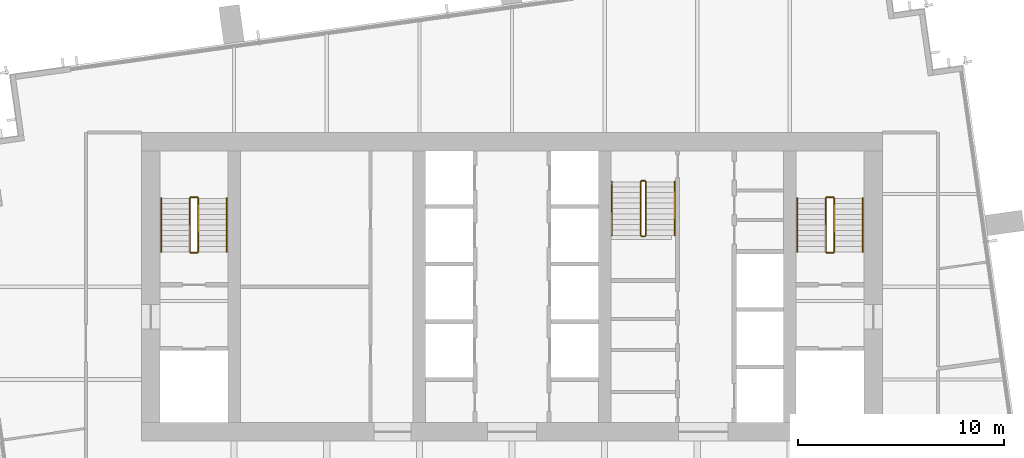
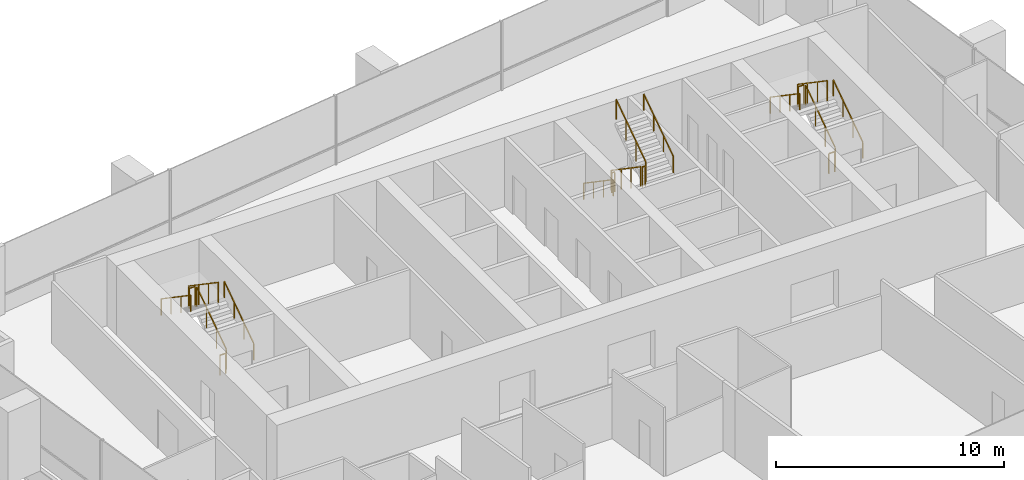
# One storey, part 12 of 12: 18 railings.
"""IFC4 building model written with IfcOpenShell, lengths in metres."""

from ifc_helpers import new_model, si_unit, direction, frame, origin, origin_2d, place, context, subcontext, project, spatial, rectangle, extrude, material, type_object, element, save


model = new_model("IFC4")

# Units and contexts
model_context = context("Model", 3, precision=1e-05, world=origin(), true_north=direction((0.0, 1.0)))
body_context = subcontext(model_context, "Body", "Model", "MODEL_VIEW")
ifc_project = project(units=[si_unit("LENGTHUNIT", "METRE"), si_unit("AREAUNIT", "SQUARE_METRE"), si_unit("VOLUMEUNIT", "CUBIC_METRE"), si_unit("PLANEANGLEUNIT", "RADIAN"), si_unit("MASSUNIT", "GRAM", prefix="KILO")], contexts=[model_context])

# Site, building, storey
site_placement = place(None, origin())
site = spatial("IfcSite", under=ifc_project, at=site_placement, CompositionType="ELEMENT")
building_placement = place(site_placement, origin())
building = spatial("IfcBuilding", under=site, at=building_placement, Name="Rattan Terrace Tower", CompositionType="ELEMENT")
storey_placement = place(building_placement, frame((0.0, 0.0, 270.699951171875)))
storey = spatial("IfcBuildingStorey", under=building, at=storey_placement, Name="L62", CompositionType="ELEMENT", Elevation=270.699951171875)

# Railings
ifc_material_1 = material(Name="Powder-coated steel guard", Category="steel")
railing_type_1 = type_object("IfcRailingType", Name="Core stair guard", PredefinedType="GUARDRAIL", material=ifc_material_1)
railing_1_placement = place(storey_placement, frame((-15.25, 1.699951171875, 0.17724609375)))
element("IfcRailing", 1, at=railing_1_placement, inside=storey, type_object=railing_type_1, Name="L62 S1 stair guard 1", PredefinedType="GUARDRAIL", context=body_context, shape_type="SweptSolid", body=[
    extrude(rectangle(XDim=0.048095703125, YDim=0.048095703125, at=origin_2d()), frame((0.0, 0.0, 1.076171875), z_axis=(0.0, 0.826240473404, 0.563317565952), x_axis=(-1.0, 0.0, 0.0)), (0.0, 0.0, 1.0), 3.14697265625),
    extrude(rectangle(XDim=0.0419921875, YDim=0.0419921875, at=origin_2d()), origin(), (0.0, 0.0, 1.0), 1.052001953125),
    extrude(rectangle(XDim=0.0419921875, YDim=0.0419921875, at=origin_2d()), frame((0.0, 0.86669921875, 0.5908203125)), (0.0, 0.0, 1.0), 1.052001953125),
    extrude(rectangle(XDim=0.0419921875, YDim=0.0419921875, at=origin_2d()), frame((0.0, 1.7333984375, 1.181884765625)), (0.0, 0.0, 1.0), 1.052001953125),
    extrude(rectangle(XDim=0.0419921875, YDim=0.0419921875, at=origin_2d()), frame((0.0, 2.60009765625, 1.772705078125)), (0.0, 0.0, 1.0), 1.052001953125),
])
railing_2_placement = place(storey_placement, frame((-15.300048828125, 4.35009765625, 1.949951171875)))
element("IfcRailing", 2, at=railing_2_placement, inside=storey, type_object=railing_type_1, Name="L62 S1 stair guard 2", PredefinedType="GUARDRAIL", context=body_context, shape_type="SweptSolid", body=[
    extrude(rectangle(XDim=0.048095703125, YDim=0.048095703125, at=origin_2d()), frame((0.0, 0.0, 1.076171875), z_axis=(-1.0, 0.0, 0.0), x_axis=(0.0, -1.0, 0.0)), (0.0, 0.0, 1.0), 0.300048828125),
    extrude(rectangle(XDim=0.0419921875, YDim=0.0419921875, at=origin_2d()), origin(), (0.0, 0.0, 1.0), 1.052001953125),
    extrude(rectangle(XDim=0.0419921875, YDim=0.0419921875, at=origin_2d()), frame((-0.300048828125, 0.0, 0.0)), (0.0, 0.0, 1.0), 1.052001953125),
])
railing_3_placement = place(storey_placement, frame((-15.64990234375, 4.300048828125, 2.12744140625)))
element("IfcRailing", 3, at=railing_3_placement, inside=storey, type_object=railing_type_1, Name="L62 S1 stair guard 3", PredefinedType="GUARDRAIL", context=body_context, shape_type="SweptSolid", body=[
    extrude(rectangle(XDim=0.048095703125, YDim=0.048095703125, at=origin_2d()), frame((0.0, 0.0, 1.076171875), z_axis=(0.0, -0.826240473404, 0.563317565952), x_axis=(1.0, 0.0, 0.0)), (0.0, 0.0, 1.0), 3.14697265625),
    extrude(rectangle(XDim=0.0419921875, YDim=0.0419921875, at=origin_2d()), origin(), (0.0, 0.0, 1.0), 1.052001953125),
    extrude(rectangle(XDim=0.0419921875, YDim=0.0419921875, at=origin_2d()), frame((0.0, -0.86669921875, 0.5908203125)), (0.0, 0.0, 1.0), 1.052001953125),
    extrude(rectangle(XDim=0.0419921875, YDim=0.0419921875, at=origin_2d()), frame((0.0, -1.7333984375, 1.181884765625)), (0.0, 0.0, 1.0), 1.052001953125),
    extrude(rectangle(XDim=0.0419921875, YDim=0.0419921875, at=origin_2d()), frame((0.0, -2.60009765625, 1.772705078125)), (0.0, 0.0, 1.0), 1.052001953125),
])
railing_4_placement = place(storey_placement, frame((-15.300048828125, 1.64990234375, 0.0)))
element("IfcRailing", 4, at=railing_4_placement, inside=storey, type_object=railing_type_1, Name="L62 S1 stair guard 4", PredefinedType="GUARDRAIL", context=body_context, shape_type="SweptSolid", body=[
    extrude(rectangle(XDim=0.048095703125, YDim=0.048095703125, at=origin_2d()), frame((0.0, 0.0, 1.076171875), z_axis=(-1.0, 0.0, 0.0), x_axis=(0.0, -1.0, 0.0)), (0.0, 0.0, 1.0), 0.300048828125),
    extrude(rectangle(XDim=0.0419921875, YDim=0.0419921875, at=origin_2d()), origin(), (0.0, 0.0, 1.0), 1.052001953125),
    extrude(rectangle(XDim=0.0419921875, YDim=0.0419921875, at=origin_2d()), frame((-0.300048828125, 0.0, 0.0)), (0.0, 0.0, 1.0), 1.052001953125),
])
railing_5_placement = place(storey_placement, frame((15.64990234375, 1.699951171875, 0.17724609375)))
element("IfcRailing", 5, at=railing_5_placement, inside=storey, type_object=railing_type_1, Name="L62 S2 stair guard 1", PredefinedType="GUARDRAIL", context=body_context, shape_type="SweptSolid", body=[
    extrude(rectangle(XDim=0.048095703125, YDim=0.048095703125, at=origin_2d()), frame((0.0, 0.0, 1.076171875), z_axis=(0.0, 0.826240473404, 0.563317565952), x_axis=(-1.0, 0.0, 0.0)), (0.0, 0.0, 1.0), 3.14697265625),
    extrude(rectangle(XDim=0.0419921875, YDim=0.0419921875, at=origin_2d()), origin(), (0.0, 0.0, 1.0), 1.052001953125),
    extrude(rectangle(XDim=0.0419921875, YDim=0.0419921875, at=origin_2d()), frame((0.0, 0.86669921875, 0.5908203125)), (0.0, 0.0, 1.0), 1.052001953125),
    extrude(rectangle(XDim=0.0419921875, YDim=0.0419921875, at=origin_2d()), frame((0.0, 1.7333984375, 1.181884765625)), (0.0, 0.0, 1.0), 1.052001953125),
    extrude(rectangle(XDim=0.0419921875, YDim=0.0419921875, at=origin_2d()), frame((0.0, 2.60009765625, 1.772705078125)), (0.0, 0.0, 1.0), 1.052001953125),
])
railing_6_placement = place(storey_placement, frame((15.60009765625, 4.35009765625, 1.949951171875)))
element("IfcRailing", 6, at=railing_6_placement, inside=storey, type_object=railing_type_1, Name="L62 S2 stair guard 2", PredefinedType="GUARDRAIL", context=body_context, shape_type="SweptSolid", body=[
    extrude(rectangle(XDim=0.048095703125, YDim=0.048095703125, at=origin_2d()), frame((0.0, 0.0, 1.076171875), z_axis=(-1.0, 0.0, 0.0), x_axis=(0.0, -1.0, 0.0)), (0.0, 0.0, 1.0), 0.300048828125),
    extrude(rectangle(XDim=0.0419921875, YDim=0.0419921875, at=origin_2d()), origin(), (0.0, 0.0, 1.0), 1.052001953125),
    extrude(rectangle(XDim=0.0419921875, YDim=0.0419921875, at=origin_2d()), frame((-0.300048828125, 0.0, 0.0)), (0.0, 0.0, 1.0), 1.052001953125),
])
railing_7_placement = place(storey_placement, frame((15.25, 4.300048828125, 2.12744140625)))
element("IfcRailing", 7, at=railing_7_placement, inside=storey, type_object=railing_type_1, Name="L62 S2 stair guard 3", PredefinedType="GUARDRAIL", context=body_context, shape_type="SweptSolid", body=[
    extrude(rectangle(XDim=0.048095703125, YDim=0.048095703125, at=origin_2d()), frame((0.0, 0.0, 1.076171875), z_axis=(0.0, -0.826240473404, 0.563317565952), x_axis=(1.0, 0.0, 0.0)), (0.0, 0.0, 1.0), 3.14697265625),
    extrude(rectangle(XDim=0.0419921875, YDim=0.0419921875, at=origin_2d()), origin(), (0.0, 0.0, 1.0), 1.052001953125),
    extrude(rectangle(XDim=0.0419921875, YDim=0.0419921875, at=origin_2d()), frame((0.0, -0.86669921875, 0.5908203125)), (0.0, 0.0, 1.0), 1.052001953125),
    extrude(rectangle(XDim=0.0419921875, YDim=0.0419921875, at=origin_2d()), frame((0.0, -1.7333984375, 1.181884765625)), (0.0, 0.0, 1.0), 1.052001953125),
    extrude(rectangle(XDim=0.0419921875, YDim=0.0419921875, at=origin_2d()), frame((0.0, -2.60009765625, 1.772705078125)), (0.0, 0.0, 1.0), 1.052001953125),
])
railing_8_placement = place(storey_placement, frame((15.60009765625, 1.64990234375, 0.0)))
element("IfcRailing", 8, at=railing_8_placement, inside=storey, type_object=railing_type_1, Name="L62 S2 stair guard 4", PredefinedType="GUARDRAIL", context=body_context, shape_type="SweptSolid", body=[
    extrude(rectangle(XDim=0.048095703125, YDim=0.048095703125, at=origin_2d()), frame((0.0, 0.0, 1.076171875), z_axis=(-1.0, 0.0, 0.0), x_axis=(0.0, -1.0, 0.0)), (0.0, 0.0, 1.0), 0.300048828125),
    extrude(rectangle(XDim=0.0419921875, YDim=0.0419921875, at=origin_2d()), origin(), (0.0, 0.0, 1.0), 1.052001953125),
    extrude(rectangle(XDim=0.0419921875, YDim=0.0419921875, at=origin_2d()), frame((-0.300048828125, 0.0, 0.0)), (0.0, 0.0, 1.0), 1.052001953125),
])
railing_9_placement = place(storey_placement, frame((6.25, 5.10009765625, 0.17724609375)))
element("IfcRailing", 9, at=railing_9_placement, inside=storey, type_object=railing_type_1, Name="L62 S3 stair guard 1", PredefinedType="GUARDRAIL", context=body_context, shape_type="SweptSolid", body=[
    extrude(rectangle(XDim=0.048095703125, YDim=0.048095703125, at=origin_2d()), frame((0.0, 0.0, 1.076171875), z_axis=(0.0, -0.826240473404, 0.563317565952), x_axis=(1.0, 0.0, 0.0)), (0.0, 0.0, 1.0), 3.14697265625),
    extrude(rectangle(XDim=0.0419921875, YDim=0.0419921875, at=origin_2d()), origin(), (0.0, 0.0, 1.0), 1.052001953125),
    extrude(rectangle(XDim=0.0419921875, YDim=0.0419921875, at=origin_2d()), frame((0.0, -0.86669921875, 0.5908203125)), (0.0, 0.0, 1.0), 1.052001953125),
    extrude(rectangle(XDim=0.0419921875, YDim=0.0419921875, at=origin_2d()), frame((0.0, -1.7333984375, 1.181884765625)), (0.0, 0.0, 1.0), 1.052001953125),
    extrude(rectangle(XDim=0.0419921875, YDim=0.0419921875, at=origin_2d()), frame((0.0, -2.60009765625, 1.772705078125)), (0.0, 0.0, 1.0), 1.052001953125),
])
railing_10_placement = place(storey_placement, frame((6.300048828125, 2.449951171875, 1.949951171875)))
element("IfcRailing", 10, at=railing_10_placement, inside=storey, type_object=railing_type_1, Name="L62 S3 stair guard 2", PredefinedType="GUARDRAIL", context=body_context, shape_type="SweptSolid", body=[
    extrude(rectangle(XDim=0.048095703125, YDim=0.048095703125, at=origin_2d()), frame((0.0, 0.0, 1.076171875), z_axis=(1.0, 0.0, 0.0), x_axis=(0.0, 1.0, 0.0)), (0.0, 0.0, 1.0), 0.14990234375),
    extrude(rectangle(XDim=0.0419921875, YDim=0.0419921875, at=origin_2d()), origin(), (0.0, 0.0, 1.0), 1.052001953125),
    extrude(rectangle(XDim=0.0419921875, YDim=0.0419921875, at=origin_2d()), frame((0.14990234375, 0.0, 0.0)), (0.0, 0.0, 1.0), 1.052001953125),
])
railing_11_placement = place(storey_placement, frame((6.5, 2.5, 2.12744140625)))
element("IfcRailing", 11, at=railing_11_placement, inside=storey, type_object=railing_type_1, Name="L62 S3 stair guard 3", PredefinedType="GUARDRAIL", context=body_context, shape_type="SweptSolid", body=[
    extrude(rectangle(XDim=0.048095703125, YDim=0.048095703125, at=origin_2d()), frame((0.0, 0.0, 1.076171875), z_axis=(0.0, 0.826240473404, 0.563317565952), x_axis=(-1.0, 0.0, 0.0)), (0.0, 0.0, 1.0), 3.14697265625),
    extrude(rectangle(XDim=0.0419921875, YDim=0.0419921875, at=origin_2d()), origin(), (0.0, 0.0, 1.0), 1.052001953125),
    extrude(rectangle(XDim=0.0419921875, YDim=0.0419921875, at=origin_2d()), frame((0.0, 0.86669921875, 0.5908203125)), (0.0, 0.0, 1.0), 1.052001953125),
    extrude(rectangle(XDim=0.0419921875, YDim=0.0419921875, at=origin_2d()), frame((0.0, 1.7333984375, 1.181884765625)), (0.0, 0.0, 1.0), 1.052001953125),
    extrude(rectangle(XDim=0.0419921875, YDim=0.0419921875, at=origin_2d()), frame((0.0, 2.60009765625, 1.772705078125)), (0.0, 0.0, 1.0), 1.052001953125),
])
railing_12_placement = place(storey_placement, frame((6.300048828125, 5.14990234375, 0.0)))
element("IfcRailing", 12, at=railing_12_placement, inside=storey, type_object=railing_type_1, Name="L62 S3 stair guard 4", PredefinedType="GUARDRAIL", context=body_context, shape_type="SweptSolid", body=[
    extrude(rectangle(XDim=0.048095703125, YDim=0.048095703125, at=origin_2d()), frame((0.0, 0.0, 1.076171875), z_axis=(1.0, 0.0, 0.0), x_axis=(0.0, 1.0, 0.0)), (0.0, 0.0, 1.0), 0.14990234375),
    extrude(rectangle(XDim=0.0419921875, YDim=0.0419921875, at=origin_2d()), origin(), (0.0, 0.0, 1.0), 1.052001953125),
    extrude(rectangle(XDim=0.0419921875, YDim=0.0419921875, at=origin_2d()), frame((0.14990234375, 0.0, 0.0)), (0.0, 0.0, 1.0), 1.052001953125),
])
ifc_material_2 = material(Name="Powder-coated steel handrail", Category="steel")
railing_type_2 = type_object("IfcRailingType", Name="Core stair handrail", PredefinedType="HANDRAIL", material=ifc_material_2)
railing_13_placement = place(storey_placement, frame((-13.85009765625, 1.699951171875, 0.17724609375)))
element("IfcRailing", 13, at=railing_13_placement, inside=storey, type_object=railing_type_2, Name="L62 S1 stair handrail 1", PredefinedType="HANDRAIL", context=body_context, shape_type="SweptSolid", body=[
    extrude(rectangle(XDim=0.048095703125, YDim=0.048095703125, at=origin_2d()), frame((0.0, 0.0, 0.8759765625), z_axis=(0.0, 0.826240473404, 0.563317565952), x_axis=(-1.0, 0.0, 0.0)), (0.0, 0.0, 1.0), 3.14697265625),
    extrude(rectangle(XDim=0.0419921875, YDim=0.0419921875, at=origin_2d()), origin(), (0.0, 0.0, 1.0), 0.851806640625),
    extrude(rectangle(XDim=0.0419921875, YDim=0.0419921875, at=origin_2d()), frame((0.0, 0.86669921875, 0.5908203125)), (0.0, 0.0, 1.0), 0.851806640625),
    extrude(rectangle(XDim=0.0419921875, YDim=0.0419921875, at=origin_2d()), frame((0.0, 1.7333984375, 1.181884765625)), (0.0, 0.0, 1.0), 0.851806640625),
    extrude(rectangle(XDim=0.0419921875, YDim=0.0419921875, at=origin_2d()), frame((0.0, 2.60009765625, 1.772705078125)), (0.0, 0.0, 1.0), 0.851806640625),
])
railing_14_placement = place(storey_placement, frame((-17.050048828125, 4.300048828125, 2.12744140625)))
element("IfcRailing", 14, at=railing_14_placement, inside=storey, type_object=railing_type_2, Name="L62 S1 stair handrail 2", PredefinedType="HANDRAIL", context=body_context, shape_type="SweptSolid", body=[
    extrude(rectangle(XDim=0.048095703125, YDim=0.048095703125, at=origin_2d()), frame((0.0, 0.0, 0.8759765625), z_axis=(0.0, -0.826240473404, 0.563317565952), x_axis=(1.0, 0.0, 0.0)), (0.0, 0.0, 1.0), 3.14697265625),
    extrude(rectangle(XDim=0.0419921875, YDim=0.0419921875, at=origin_2d()), origin(), (0.0, 0.0, 1.0), 0.851806640625),
    extrude(rectangle(XDim=0.0419921875, YDim=0.0419921875, at=origin_2d()), frame((0.0, -0.86669921875, 0.5908203125)), (0.0, 0.0, 1.0), 0.851806640625),
    extrude(rectangle(XDim=0.0419921875, YDim=0.0419921875, at=origin_2d()), frame((0.0, -1.7333984375, 1.181884765625)), (0.0, 0.0, 1.0), 0.851806640625),
    extrude(rectangle(XDim=0.0419921875, YDim=0.0419921875, at=origin_2d()), frame((0.0, -2.60009765625, 1.772705078125)), (0.0, 0.0, 1.0), 0.851806640625),
])
railing_15_placement = place(storey_placement, frame((17.050048828125, 1.699951171875, 0.17724609375)))
element("IfcRailing", 15, at=railing_15_placement, inside=storey, type_object=railing_type_2, Name="L62 S2 stair handrail 1", PredefinedType="HANDRAIL", context=body_context, shape_type="SweptSolid", body=[
    extrude(rectangle(XDim=0.048095703125, YDim=0.048095703125, at=origin_2d()), frame((0.0, 0.0, 0.8759765625), z_axis=(0.0, 0.826240473404, 0.563317565952), x_axis=(-1.0, 0.0, 0.0)), (0.0, 0.0, 1.0), 3.14697265625),
    extrude(rectangle(XDim=0.0419921875, YDim=0.0419921875, at=origin_2d()), origin(), (0.0, 0.0, 1.0), 0.851806640625),
    extrude(rectangle(XDim=0.0419921875, YDim=0.0419921875, at=origin_2d()), frame((0.0, 0.86669921875, 0.5908203125)), (0.0, 0.0, 1.0), 0.851806640625),
    extrude(rectangle(XDim=0.0419921875, YDim=0.0419921875, at=origin_2d()), frame((0.0, 1.7333984375, 1.181884765625)), (0.0, 0.0, 1.0), 0.851806640625),
    extrude(rectangle(XDim=0.0419921875, YDim=0.0419921875, at=origin_2d()), frame((0.0, 2.60009765625, 1.772705078125)), (0.0, 0.0, 1.0), 0.851806640625),
])
for number, where, name in (
    (16, (13.85009765625, 4.300048828125, 2.12744140625), "L62 S2 stair handrail 2"),
    (17, (4.85009765625, 5.10009765625, 0.17724609375), "L62 S3 stair handrail 1"),
):
    element("IfcRailing", number, at=place(storey_placement, frame(where)), inside=storey, type_object=railing_type_2, Name=name, PredefinedType="HANDRAIL", context=body_context, shape_type="SweptSolid", body=[
        extrude(rectangle(XDim=0.048095703125, YDim=0.048095703125, at=origin_2d()), frame((0.0, 0.0, 0.8759765625), z_axis=(0.0, -0.826240473404, 0.563317565952), x_axis=(1.0, 0.0, 0.0)), (0.0, 0.0, 1.0), 3.14697265625),
        extrude(rectangle(XDim=0.0419921875, YDim=0.0419921875, at=origin_2d()), origin(), (0.0, 0.0, 1.0), 0.851806640625),
        extrude(rectangle(XDim=0.0419921875, YDim=0.0419921875, at=origin_2d()), frame((0.0, -0.86669921875, 0.5908203125)), (0.0, 0.0, 1.0), 0.851806640625),
        extrude(rectangle(XDim=0.0419921875, YDim=0.0419921875, at=origin_2d()), frame((0.0, -1.7333984375, 1.181884765625)), (0.0, 0.0, 1.0), 0.851806640625),
        extrude(rectangle(XDim=0.0419921875, YDim=0.0419921875, at=origin_2d()), frame((0.0, -2.60009765625, 1.772705078125)), (0.0, 0.0, 1.0), 0.851806640625),
    ])
railing_16_placement = place(storey_placement, frame((7.89990234375, 2.5, 2.12744140625)))
element("IfcRailing", 18, at=railing_16_placement, inside=storey, type_object=railing_type_2, Name="L62 S3 stair handrail 2", PredefinedType="HANDRAIL", context=body_context, shape_type="SweptSolid", body=[
    extrude(rectangle(XDim=0.048095703125, YDim=0.048095703125, at=origin_2d()), frame((0.0, 0.0, 0.8759765625), z_axis=(0.0, 0.826240473404, 0.563317565952), x_axis=(-1.0, 0.0, 0.0)), (0.0, 0.0, 1.0), 3.14697265625),
    extrude(rectangle(XDim=0.0419921875, YDim=0.0419921875, at=origin_2d()), origin(), (0.0, 0.0, 1.0), 0.851806640625),
    extrude(rectangle(XDim=0.0419921875, YDim=0.0419921875, at=origin_2d()), frame((0.0, 0.86669921875, 0.5908203125)), (0.0, 0.0, 1.0), 0.851806640625),
    extrude(rectangle(XDim=0.0419921875, YDim=0.0419921875, at=origin_2d()), frame((0.0, 1.7333984375, 1.181884765625)), (0.0, 0.0, 1.0), 0.851806640625),
    extrude(rectangle(XDim=0.0419921875, YDim=0.0419921875, at=origin_2d()), frame((0.0, 2.60009765625, 1.772705078125)), (0.0, 0.0, 1.0), 0.851806640625),
])

save(model, "model.ifc")
